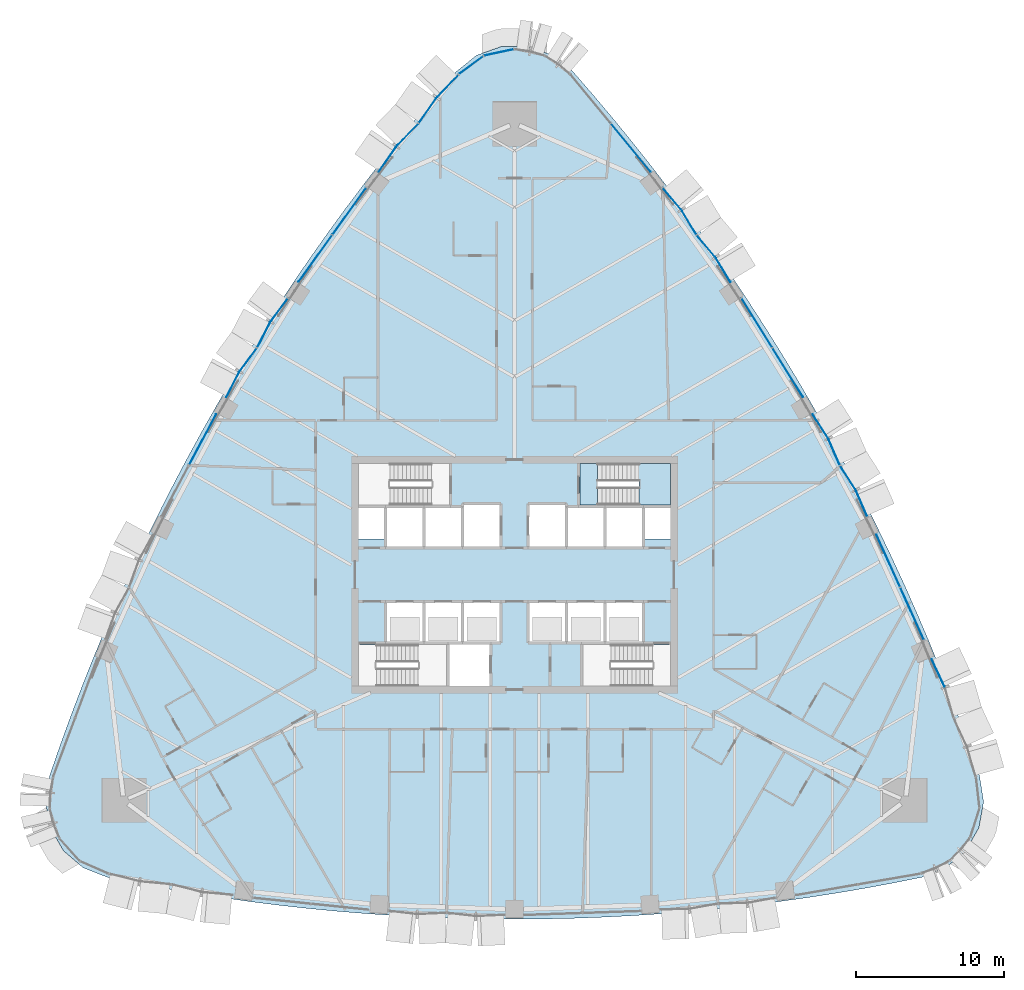
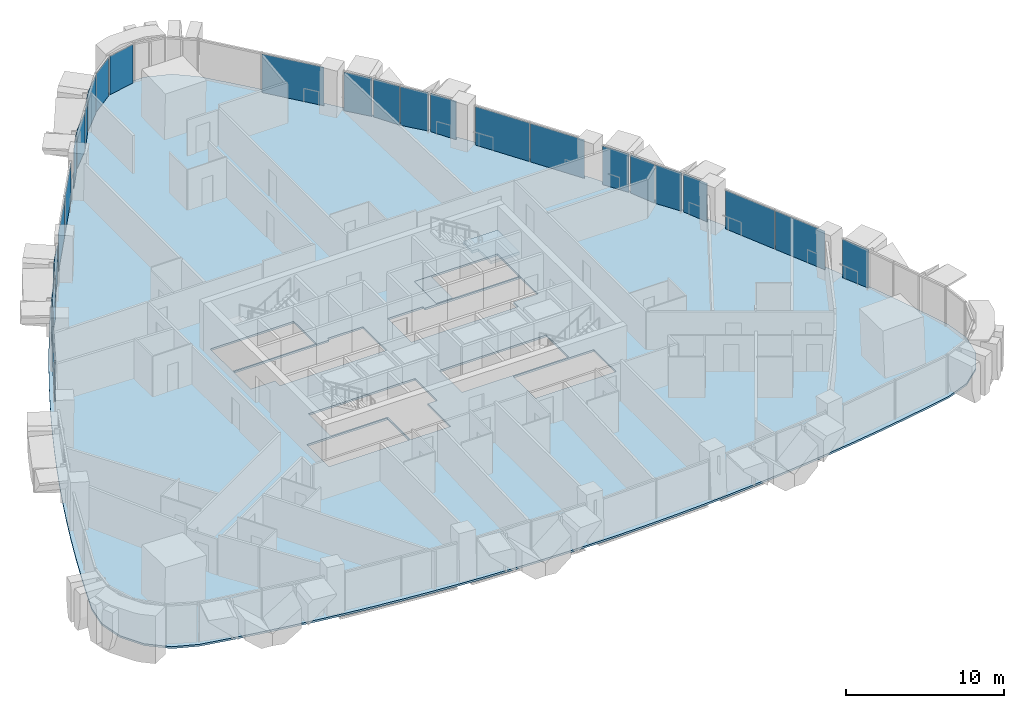
# One storey, part 10 of 19: 27 plates, 3 slabs, 13 elements without a shape of their own.
"""IFC4 building model written with IfcOpenShell, lengths in metres."""

from ifc_helpers import new_model, si_unit, direction, frame, origin, origin_2d, place, context, subcontext, project, spatial, polyline, rectangle, outline, extrude, material, layer, layer_set, type_object, element, aggregate, save


model = new_model("IFC4")

# Units and contexts
model_context = context("Model", 3, precision=1e-05, world=origin(), true_north=direction((0.0, 1.0)))
body_context = subcontext(model_context, "Body", "Model", "MODEL_VIEW")
ifc_project = project(units=[si_unit("LENGTHUNIT", "METRE"), si_unit("AREAUNIT", "SQUARE_METRE"), si_unit("VOLUMEUNIT", "CUBIC_METRE"), si_unit("PLANEANGLEUNIT", "RADIAN"), si_unit("MASSUNIT", "GRAM", prefix="KILO")], contexts=[model_context])

# Site, building, storey
site_placement = place(None, origin())
site = spatial("IfcSite", under=ifc_project, at=site_placement, CompositionType="ELEMENT")
building_placement = place(site_placement, origin())
building = spatial("IfcBuilding", under=site, at=building_placement, Name="Sierra Prisma Convention Tower", CompositionType="ELEMENT")
storey_placement = place(building_placement, frame((0.0, 0.0, 77.60009765625)))
storey = spatial("IfcBuildingStorey", under=building, at=storey_placement, Name="L15", CompositionType="ELEMENT", Elevation=77.60009765625)

# Curtain wall, plates
ifc_material_1 = material(Name="Aluminium and glass curtain wall", Category="aluminium")
ifc_layer_1 = layer(ifc_material_1, 0.179931640625)
ifc_layer_set_1 = layer_set([ifc_layer_1], Name="CW-1 Plain shaft curtain wall")
curtain_wall_type_1 = type_object("IfcCurtainWallType", Name="CW-1 Plain shaft curtain wall", PredefinedType="NOTDEFINED", material=ifc_layer_set_1)
curtain_wall_1_placement = place(storey_placement, origin())
curtain_wall_1 = element("IfcCurtainWall", 1, at=curtain_wall_1_placement, inside=storey, type_object=curtain_wall_type_1, Name="CW-1 NE2 L15", PredefinedType="NOTDEFINED")
ifc_material_2 = material(Name="Tinted glass bronze-grey IGU", Category="glass")
ifc_layer_2 = layer(ifc_material_2, 0.028076171875)
ifc_layer_set_2 = layer_set([ifc_layer_2], Name="CW-1 glass panel")
plate_type_1 = type_object("IfcPlateType", Name="CW-1 glass panel", PredefinedType="CURTAIN_PANEL", material=ifc_layer_set_2)
plate_1_placement = place(storey_placement, frame((26.7841796875, -2.61865234375, 0.0), z_axis=(0.0, 0.0, 1.0), x_axis=(-0.411425727774, 0.911443289802, 0.0)))
plate_1 = element("IfcPlate", 2, at=plate_1_placement, type_object=plate_type_1, Name="CW-1 panel NE2.1", PredefinedType="CURTAIN_PANEL", context=body_context, shape_type="SweptSolid", body=[
    extrude(rectangle(XDim=3.843505859375, YDim=0.028076171875, at=origin_2d()), origin(), (0.0, 0.0, 1.0), 2.97998046875),
])
plate_2_placement = place(storey_placement, frame((25.174072265625, 0.948486328125, 0.0), z_axis=(0.0, 0.0, 1.0), x_axis=(-0.411425727774, 0.911443289802, 0.0)))
plate_2 = element("IfcPlate", 3, at=plate_2_placement, type_object=plate_type_1, Name="CW-1 panel NE2.2", PredefinedType="CURTAIN_PANEL", context=body_context, shape_type="SweptSolid", body=[
    extrude(rectangle(XDim=3.843505859375, YDim=0.028076171875, at=origin_2d()), origin(), (0.0, 0.0, 1.0), 2.97998046875),
])
aggregate(curtain_wall_1, [plate_1, plate_2])

curtain_wall_2_placement = place(storey_placement, origin())
curtain_wall_2 = element("IfcCurtainWall", 4, at=curtain_wall_2_placement, inside=storey, type_object=curtain_wall_type_1, Name="CW-1 NE4 L15", PredefinedType="NOTDEFINED")
plate_3_placement = place(storey_placement, frame((18.408935546875, 13.61962890625, 0.0), z_axis=(0.0, 0.0, 1.0), x_axis=(-0.528313211878, 0.849049556949, 0.0)))
plate_3 = element("IfcPlate", 5, at=plate_3_placement, type_object=plate_type_1, Name="CW-1 panel NE4.1", PredefinedType="CURTAIN_PANEL", context=body_context, shape_type="SweptSolid", body=[
    extrude(rectangle(XDim=3.88134765625, YDim=0.028076171875, at=origin_2d()), origin(), (0.0, 0.0, 1.0), 2.97998046875),
])
plate_4_placement = place(storey_placement, frame((16.3212890625, 16.974609375, 0.0), z_axis=(0.0, 0.0, 1.0), x_axis=(-0.528313211878, 0.849049556949, 0.0)))
plate_4 = element("IfcPlate", 6, at=plate_4_placement, type_object=plate_type_1, Name="CW-1 panel NE4.2", PredefinedType="CURTAIN_PANEL", context=body_context, shape_type="SweptSolid", body=[
    extrude(rectangle(XDim=3.88134765625, YDim=0.028076171875, at=origin_2d()), origin(), (0.0, 0.0, 1.0), 2.97998046875),
])
aggregate(curtain_wall_2, [plate_3, plate_4])

# Curtain wall, plate
curtain_wall_3_placement = place(storey_placement, origin())
curtain_wall_3 = element("IfcCurtainWall", 7, at=curtain_wall_3_placement, inside=storey, type_object=curtain_wall_type_1, Name="CW-1 NE6 L15", PredefinedType="NOTDEFINED")
plate_5_placement = place(storey_placement, frame((7.83447265625, 28.772705078125, 0.0), z_axis=(0.0, 0.0, 1.0), x_axis=(-0.635925807902, 0.771750197178, 0.0)))
plate_5 = element("IfcPlate", 8, at=plate_5_placement, type_object=plate_type_1, Name="CW-1 panel NE6.1", PredefinedType="CURTAIN_PANEL", context=body_context, shape_type="SweptSolid", body=[
    extrude(rectangle(XDim=4.181640625, YDim=0.028076171875, at=origin_2d()), origin(), (0.0, 0.0, 1.0), 2.97998046875),
])
aggregate(curtain_wall_3, [plate_5])

curtain_wall_4_placement = place(storey_placement, origin())
curtain_wall_4 = element("IfcCurtainWall", 9, at=curtain_wall_4_placement, inside=storey, type_object=curtain_wall_type_1, Name="CW-1 N3 L15", PredefinedType="NOTDEFINED")
plate_6_placement = place(storey_placement, frame((-1.030517578125, 35.1962890625, 0.0), z_axis=(0.0, 0.0, 1.0), x_axis=(-0.977588884653, -0.210523092803, 0.0)))
plate_6 = element("IfcPlate", 10, at=plate_6_placement, type_object=plate_type_1, Name="CW-1 panel N3.1", PredefinedType="CURTAIN_PANEL", context=body_context, shape_type="SweptSolid", body=[
    extrude(rectangle(XDim=1.96826171875, YDim=0.028076171875, at=origin_2d()), origin(), (0.0, 0.0, 1.0), 2.97998046875),
])
aggregate(curtain_wall_4, [plate_6])

curtain_wall_5_placement = place(storey_placement, origin())
curtain_wall_5 = element("IfcCurtainWall", 11, at=curtain_wall_5_placement, inside=storey, type_object=curtain_wall_type_1, Name="CW-1 N4 L15", PredefinedType="NOTDEFINED")
plate_7_placement = place(storey_placement, frame((-2.90869140625, 34.347900390625, 0.0), z_axis=(0.0, 0.0, 1.0), x_axis=(-0.804282034313, -0.594247767586, 0.0)))
plate_7 = element("IfcPlate", 12, at=plate_7_placement, type_object=plate_type_1, Name="CW-1 panel N4.1", PredefinedType="CURTAIN_PANEL", context=body_context, shape_type="SweptSolid", body=[
    extrude(rectangle(XDim=1.96826171875, YDim=0.028076171875, at=origin_2d()), origin(), (0.0, 0.0, 1.0), 2.97998046875),
])
aggregate(curtain_wall_5, [plate_7])

# Curtain wall, plates
curtain_wall_6_placement = place(storey_placement, origin())
curtain_wall_6 = element("IfcCurtainWall", 13, at=curtain_wall_6_placement, inside=storey, type_object=curtain_wall_type_1, Name="CW-1 NW2 L15", PredefinedType="NOTDEFINED")
plate_8_placement = place(storey_placement, frame((-11.13037109375, 24.49755859375, 0.0), z_axis=(0.0, 0.0, 1.0), x_axis=(-0.583401166916, -0.812184140723, 0.0)))
plate_8 = element("IfcPlate", 14, at=plate_8_placement, type_object=plate_type_1, Name="CW-1 panel NW2.1", PredefinedType="CURTAIN_PANEL", context=body_context, shape_type="SweptSolid", body=[
    extrude(rectangle(XDim=3.862060546875, YDim=0.028076171875, at=origin_2d()), origin(), (0.0, 0.0, 1.0), 2.97998046875),
])
plate_9_placement = place(storey_placement, frame((-13.42431640625, 21.30419921875, 0.0), z_axis=(0.0, 0.0, 1.0), x_axis=(-0.583401166916, -0.812184140723, 0.0)))
plate_9 = element("IfcPlate", 15, at=plate_9_placement, type_object=plate_type_1, Name="CW-1 panel NW2.2", PredefinedType="CURTAIN_PANEL", context=body_context, shape_type="SweptSolid", body=[
    extrude(rectangle(XDim=3.862060546875, YDim=0.028076171875, at=origin_2d()), origin(), (0.0, 0.0, 1.0), 2.97998046875),
])
aggregate(curtain_wall_6, [plate_8, plate_9])

# Curtain wall, plate
curtain_wall_7_placement = place(storey_placement, origin())
curtain_wall_7 = element("IfcCurtainWall", 16, at=curtain_wall_7_placement, inside=storey, type_object=curtain_wall_type_1, Name="CW-1 NW4 L15", PredefinedType="NOTDEFINED")
plate_10_placement = place(storey_placement, frame((-21.01318359375, 9.108154296875, 0.0), z_axis=(0.0, 0.0, 1.0), x_axis=(-0.470903985064, -0.88218446872, 0.0)))
plate_10 = element("IfcPlate", 17, at=plate_10_placement, type_object=plate_type_1, Name="CW-1 panel NW4.1", PredefinedType="CURTAIN_PANEL", context=body_context, shape_type="SweptSolid", body=[
    extrude(rectangle(XDim=3.86279296875, YDim=0.028076171875, at=origin_2d()), origin(), (0.0, 0.0, 1.0), 2.97998046875),
])
aggregate(curtain_wall_7, [plate_10])

ifc_material_3 = material(Name="Aluminium and glass curtain wall", Category="aluminium")
ifc_layer_3 = layer(ifc_material_3, 0.179931640625)
ifc_layer_set_3 = layer_set([ifc_layer_3], Name="CW-2 Faceted crystal curtain wall")
curtain_wall_type_2 = type_object("IfcCurtainWallType", Name="CW-2 Faceted crystal curtain wall", PredefinedType="NOTDEFINED", material=ifc_layer_set_3)
curtain_wall_8_placement = place(storey_placement, origin())
curtain_wall_8 = element("IfcCurtainWall", 18, at=curtain_wall_8_placement, inside=storey, type_object=curtain_wall_type_2, Name="CW-2 NE1 L15", PredefinedType="NOTDEFINED")
ifc_material_4 = material(Name="Tinted glass bronze-grey IGU", Category="glass")
ifc_layer_4 = layer(ifc_material_4, 0.028076171875)
ifc_layer_set_4 = layer_set([ifc_layer_4], Name="CW-2 crystal pane")
plate_type_2 = type_object("IfcPlateType", Name="CW-2 crystal pane", PredefinedType="CURTAIN_PANEL", material=ifc_layer_set_4)
plate_11_placement = place(storey_placement, frame((28.116455078125, -5.677734375, 0.0), z_axis=(0.906321188244, 0.422589521569, 0.0), x_axis=(0.422589521569, -0.906321188244, 0.0)))
plate_11 = element("IfcPlate", 19, at=plate_11_placement, type_object=plate_type_2, Name="CW-2 pane NE1.2.2", PredefinedType="CURTAIN_PANEL", context=body_context, shape_type="SweptSolid", body=[
    extrude(outline(polyline([(0.0, 0.0), (2.032437329634034, 0.0), (2.032437329634034, -2.97998046875), (0.0, -2.97998046875), (0.0, 0.0)])), origin(), (0.0, 0.0, -1.0), 0.028076171875),
])
aggregate(curtain_wall_8, [plate_11])

# Curtain wall, plates
curtain_wall_9_placement = place(storey_placement, origin())
curtain_wall_9 = element("IfcCurtainWall", 20, at=curtain_wall_9_placement, inside=storey, type_object=curtain_wall_type_2, Name="CW-2 NE3 L15", PredefinedType="NOTDEFINED")
plate_12_placement = place(storey_placement, frame((23.774658203125, 3.934814453125, 0.0), z_axis=(0.916432449513, 0.400189412003, 0.0), x_axis=(-0.400189412003, 0.916432449513, 0.0)))
plate_12 = element("IfcPlate", 21, at=plate_12_placement, type_object=plate_type_2, Name="CW-2 pane NE3.1.1", PredefinedType="CURTAIN_PANEL", context=body_context, shape_type="SweptSolid", body=[
    extrude(outline(polyline([(0.0, 0.0), (1.8722823634315688, 0.0), (1.8722823634315688, 2.97998046875), (0.0, 2.97998046875), (0.0, 0.0)])), origin(), (0.0, 0.0, -1.0), 0.028076171875),
])
plate_13_placement = place(storey_placement, frame((21.95556640625, 7.342529296875, 0.0), z_axis=(0.842489167698, 0.538713283957, 0.0), x_axis=(0.538713283957, -0.842489167698, 0.0)))
plate_13 = element("IfcPlate", 22, at=plate_13_placement, type_object=plate_type_2, Name="CW-2 pane NE3.1.2", PredefinedType="CURTAIN_PANEL", context=body_context, shape_type="SweptSolid", body=[
    extrude(outline(polyline([(0.0, 0.0), (1.8725899147885785, 0.0), (1.8725899147885785, -2.97998046875), (0.0, -2.97998046875), (0.0, 0.0)])), origin(), (0.0, 0.0, -1.0), 0.028076171875),
])
plate_14_placement = place(storey_placement, frame((21.922607421875, 7.404296875, 0.0), z_axis=(0.916432449513, 0.400189412003, 0.0), x_axis=(-0.400189412003, 0.916432449513, 0.0)))
plate_14 = element("IfcPlate", 23, at=plate_14_placement, type_object=plate_type_2, Name="CW-2 pane NE3.2.1", PredefinedType="CURTAIN_PANEL", context=body_context, shape_type="SweptSolid", body=[
    extrude(outline(polyline([(0.0, 0.0), (1.8722823634315688, 0.0), (1.8722823634315688, 2.97998046875), (0.0, 2.97998046875), (0.0, 0.0)])), origin(), (0.0, 0.0, -1.0), 0.028076171875),
])
plate_15_placement = place(storey_placement, frame((20.103515625, 10.81201171875, 0.0), z_axis=(0.842451324808, 0.538772461555, 0.0), x_axis=(0.538772461555, -0.842451324808, 0.0)))
plate_15 = element("IfcPlate", 24, at=plate_15_placement, type_object=plate_type_2, Name="CW-2 pane NE3.2.2", PredefinedType="CURTAIN_PANEL", context=body_context, shape_type="SweptSolid", body=[
    extrude(outline(polyline([(0.0, 0.0), (1.8723842335758607, 0.0), (1.8723842335758607, -2.97998046875), (0.0, -2.97998046875), (0.0, 0.0)])), origin(), (0.0, 0.0, -1.0), 0.028076171875),
])
aggregate(curtain_wall_9, [plate_12, plate_13, plate_14, plate_15])

curtain_wall_10_placement = place(storey_placement, origin())
curtain_wall_10 = element("IfcCurtainWall", 25, at=curtain_wall_10_placement, inside=storey, type_object=curtain_wall_type_2, Name="CW-2 NE5 L15", PredefinedType="NOTDEFINED")
plate_16_placement = place(storey_placement, frame((14.55078125, 19.73583984375, 0.0), z_axis=(0.855507679119, 0.517790122509, 0.0), x_axis=(-0.517790122509, 0.855507679119, 0.0)))
plate_16 = element("IfcPlate", 26, at=plate_16_placement, type_object=plate_type_2, Name="CW-2 pane NE5.1.1", PredefinedType="CURTAIN_PANEL", context=body_context, shape_type="SweptSolid", body=[
    extrude(outline(polyline([(0.0, 0.0), (1.8723463035119767, 0.0), (1.8723463035119767, 2.97998046875), (0.0, 2.97998046875), (0.0, 0.0)])), origin(), (0.0, 0.0, -1.0), 0.028076171875),
])
plate_17_placement = place(storey_placement, frame((12.29736328125, 22.873046875, 0.0), z_axis=(0.763885625546, 0.645351649168, 0.0), x_axis=(0.645351649168, -0.763885625546, 0.0)))
plate_17 = element("IfcPlate", 27, at=plate_17_placement, type_object=plate_type_2, Name="CW-2 pane NE5.1.2", PredefinedType="CURTAIN_PANEL", context=body_context, shape_type="SweptSolid", body=[
    extrude(outline(polyline([(0.0, 0.0), (1.8722381118608886, 0.0), (1.8722381118608886, -2.97998046875), (0.0, -2.97998046875), (0.0, 0.0)])), origin(), (0.0, 0.0, -1.0), 0.028076171875),
])
plate_18_placement = place(storey_placement, frame((12.256591796875, 22.929931640625, 0.0), z_axis=(0.855449917117, 0.517885546531, 0.0), x_axis=(-0.517885546531, 0.855449917117, 0.0)))
plate_18 = element("IfcPlate", 28, at=plate_18_placement, type_object=plate_type_2, Name="CW-2 pane NE5.2.1", PredefinedType="CURTAIN_PANEL", context=body_context, shape_type="SweptSolid", body=[
    extrude(outline(polyline([(0.0, 0.0), (1.8724727287649383, 0.0), (1.8724727287649383, 2.97998046875), (0.0, 2.97998046875), (0.0, 0.0)])), origin(), (0.0, 0.0, -1.0), 0.028076171875),
])
plate_19_placement = place(storey_placement, frame((10.0029296875, 26.067138671875, 0.0), z_axis=(0.763885625546, 0.645351649168, 0.0), x_axis=(0.645351649168, -0.763885625546, 0.0)))
plate_19 = element("IfcPlate", 29, at=plate_19_placement, type_object=plate_type_2, Name="CW-2 pane NE5.2.2", PredefinedType="CURTAIN_PANEL", context=body_context, shape_type="SweptSolid", body=[
    extrude(outline(polyline([(0.0, 0.0), (1.8722381118608886, 0.0), (1.8722381118608886, -2.97998046875), (0.0, -2.97998046875), (0.0, 0.0)])), origin(), (0.0, 0.0, -1.0), 0.028076171875),
])
aggregate(curtain_wall_10, [plate_16, plate_17, plate_18, plate_19])

curtain_wall_11_placement = place(storey_placement, origin())
curtain_wall_11 = element("IfcCurtainWall", 30, at=curtain_wall_11_placement, inside=storey, type_object=curtain_wall_type_2, Name="CW-2 NW1 L15", PredefinedType="NOTDEFINED")
plate_20_placement = place(storey_placement, frame((-3.801025390625, 33.66748046875, 0.0), z_axis=(-0.719430437911, 0.69456450025, 0.0), x_axis=(-0.69456450025, -0.719430437911, 0.0)))
plate_20 = element("IfcPlate", 31, at=plate_20_placement, type_object=plate_type_2, Name="CW-2 pane NW1.1.1", PredefinedType="CURTAIN_PANEL", context=body_context, shape_type="SweptSolid", body=[
    extrude(outline(polyline([(0.0, 0.0), (2.0323830158918557, 0.0), (2.0323830158918557, 2.97998046875), (0.0, 2.97998046875), (0.0, 0.0)])), origin(), (0.0, 0.0, -1.0), 0.028076171875),
])
plate_21_placement = place(storey_placement, frame((-6.460205078125, 30.440185546875, 0.0), z_axis=(-0.819288353585, 0.573381717253, 0.0), x_axis=(0.573381717253, 0.819288353585, 0.0)))
plate_21 = element("IfcPlate", 32, at=plate_21_placement, type_object=plate_type_2, Name="CW-2 pane NW1.1.2", PredefinedType="CURTAIN_PANEL", context=body_context, shape_type="SweptSolid", body=[
    extrude(outline(polyline([(0.0, 0.0), (2.0322991962642067, 0.0), (2.0322991962642067, -2.97998046875), (0.0, -2.97998046875), (0.0, 0.0)])), origin(), (0.0, 0.0, -1.0), 0.028076171875),
])
plate_22_placement = place(storey_placement, frame((-6.5048828125, 30.38623046875, 0.0), z_axis=(-0.719490465746, 0.694502317996, 0.0), x_axis=(-0.694502317996, -0.719490465746, 0.0)))
plate_22 = element("IfcPlate", 33, at=plate_22_placement, type_object=plate_type_2, Name="CW-2 pane NW1.2.1", PredefinedType="CURTAIN_PANEL", context=body_context, shape_type="SweptSolid", body=[
    extrude(outline(polyline([(0.0, 0.0), (2.0322134520709523, 0.0), (2.0322134520709523, 2.97998046875), (0.0, 2.97998046875), (0.0, 0.0)])), origin(), (0.0, 0.0, -1.0), 0.028076171875),
])
plate_23_placement = place(storey_placement, frame((-9.1640625, 27.1591796875, 0.0), z_axis=(-0.819248852938, 0.573438154433, 0.0), x_axis=(0.573438154433, 0.819248852938, 0.0)))
plate_23 = element("IfcPlate", 34, at=plate_23_placement, type_object=plate_type_2, Name="CW-2 pane NW1.2.2", PredefinedType="CURTAIN_PANEL", context=body_context, shape_type="SweptSolid", body=[
    extrude(outline(polyline([(0.0, 0.0), (2.032099179515126, 0.0), (2.032099179515126, -2.97998046875), (0.0, -2.97998046875), (0.0, 0.0)])), origin(), (0.0, 0.0, -1.0), 0.028076171875),
])
aggregate(curtain_wall_11, [plate_20, plate_21, plate_22, plate_23])

curtain_wall_12_placement = place(storey_placement, origin())
curtain_wall_12 = element("IfcCurtainWall", 35, at=curtain_wall_12_placement, inside=storey, type_object=curtain_wall_type_2, Name="CW-2 NW3 L15", PredefinedType="NOTDEFINED")
plate_24_placement = place(storey_placement, frame((-15.296142578125, 18.622314453125, 0.0), z_axis=(-0.805016698632, 0.593252151217, 0.0), x_axis=(-0.593252151217, -0.805016698632, 0.0)))
plate_24 = element("IfcPlate", 36, at=plate_24_placement, type_object=plate_type_2, Name="CW-2 pane NW3.1.1", PredefinedType="CURTAIN_PANEL", context=body_context, shape_type="SweptSolid", body=[
    extrude(outline(polyline([(0.0, 0.0), (1.8815118246282219, 0.0), (1.8815118246282219, 2.9799804687500004), (0.0, 2.9799804687500004), (0.0, 0.0)])), origin(), (0.0, 0.0, -1.0), 0.028076171875),
])
plate_25_placement = place(storey_placement, frame((-17.3466796875, 15.326904296875, 0.0), z_axis=(-0.887872328475, 0.460089913309, 0.0), x_axis=(0.460089913309, 0.887872328475, 0.0)))
plate_25 = element("IfcPlate", 37, at=plate_25_placement, type_object=plate_type_2, Name="CW-2 pane NW3.1.2", PredefinedType="CURTAIN_PANEL", context=body_context, shape_type="SweptSolid", body=[
    extrude(outline(polyline([(0.0, 0.0), (1.8816379825065865, 0.0), (1.8816379825065865, -2.97998046875), (0.0, -2.97998046875), (0.0, 0.0)])), origin(), (0.0, 0.0, -1.0), 0.028076171875),
])
plate_26_placement = place(storey_placement, frame((-17.383544921875, 15.267333984375, 0.0), z_axis=(-0.804954729609, 0.593336231222, 0.0), x_axis=(-0.593336231222, -0.804954729609, 0.0)))
plate_26 = element("IfcPlate", 38, at=plate_26_placement, type_object=plate_type_2, Name="CW-2 pane NW3.2.1", PredefinedType="CURTAIN_PANEL", context=body_context, shape_type="SweptSolid", body=[
    extrude(outline(polyline([(0.0, 0.0), (1.88165667184327, 0.0), (1.88165667184327, 2.97998046875), (0.0, 2.97998046875), (0.0, 0.0)])), origin(), (0.0, 0.0, -1.0), 0.028076171875),
])
plate_27_placement = place(storey_placement, frame((-19.43408203125, 11.971923828125, 0.0), z_axis=(-0.887872328475, 0.460089913309, 0.0), x_axis=(0.460089913309, 0.887872328475, 0.0)))
plate_27 = element("IfcPlate", 39, at=plate_27_placement, type_object=plate_type_2, Name="CW-2 pane NW3.2.2", PredefinedType="CURTAIN_PANEL", context=body_context, shape_type="SweptSolid", body=[
    extrude(outline(polyline([(0.0, 0.0), (1.8816379825065865, 0.0), (1.8816379825065865, -2.97998046875), (0.0, -2.97998046875), (0.0, 0.0)])), origin(), (0.0, 0.0, -1.0), 0.028076171875),
])
aggregate(curtain_wall_12, [plate_24, plate_25, plate_26, plate_27])

# Slab
ifc_material_5 = material(Name="Concrete C35/45", Category="concrete")
ifc_layer_5 = layer(ifc_material_5, 0.14990234375)
ifc_layer_set_5 = layer_set([ifc_layer_5], Name="Composite floor slab 150")
slab_type_1 = type_object("IfcSlabType", Name="Composite floor slab 150", PredefinedType="FLOOR", material=ifc_layer_set_5)
slab_1_placement = place(storey_placement, frame((0.0, 0.0, -0.150146484375)))
element("IfcSlab", 40, at=slab_1_placement, inside=storey, type_object=slab_type_1, Name="Floor slab L15 floor", PredefinedType="FLOOR", context=body_context, shape_type="SweptSolid", body=[
    extrude(outline(polyline([(-27.416259765625, -20.386962890625), (-25.482421875, -20.773681640625), (-23.543212890625, -21.1318359375), (-21.598876953125, -21.461669921875), (-19.650146484375, -21.762939453125), (-17.697021484375, -22.035888671875), (-15.740234375, -22.2802734375), (-13.780029296875, -22.495849609375), (-11.81689453125, -22.682861328125), (-9.851318359375, -22.84130859375), (-7.883544921875, -22.970947265625), (-5.9140625, -23.071533203125), (-3.943603515625, -23.1435546875), (-1.971923828125, -23.18701171875), (0.0, -23.201416015625), (1.971923828125, -23.18701171875), (3.943603515625, -23.1435546875), (5.9140625, -23.071533203125), (7.883544921875, -22.970947265625), (9.851318359375, -22.84130859375), (11.81689453125, -22.682861328125), (13.780029296875, -22.495849609375), (15.740234375, -22.2802734375), (17.697021484375, -22.035888671875), (19.650146484375, -21.762939453125), (21.598876953125, -21.461669921875), (23.543212890625, -21.1318359375), (25.482421875, -20.773681640625), (27.416259765625, -20.386962890625), (29.063232421875, -19.7412109375), (30.403076171875, -18.58544921875), (31.283447265625, -17.05078125), (31.604736328125, -15.31103515625), (31.330810546875, -13.56298828125), (30.689453125, -11.700927734375), (30.021728515625, -9.847900390625), (29.32763671875, -8.004638671875), (28.607666015625, -6.17138671875), (27.861572265625, -4.3486328125), (27.089599609375, -2.53662109375), (26.2919921875, -0.735595703125), (25.468994140625, 1.0537109375), (24.62060546875, 2.831298828125), (23.7470703125, 4.596435546875), (22.848388671875, 6.34912109375), (21.925048828125, 8.0888671875), (20.97705078125, 9.815185546875), (20.004638671875, 11.528076171875), (19.008056640625, 13.226806640625), (17.9873046875, 14.911376953125), (16.94287109375, 16.581298828125), (15.874755859375, 18.236083984375), (14.783203125, 19.87548828125), (13.66845703125, 21.499267578125), (12.53076171875, 23.10693359375), (11.370361328125, 24.698486328125), (10.1875, 26.273193359375), (8.982421875, 27.8310546875), (7.755126953125, 29.371826171875), (6.50634765625, 30.894775390625), (5.23583984375, 32.39990234375), (3.944091796875, 33.88671875), (2.56201171875, 35.00146484375), (0.8876953125, 35.592529296875), (-0.8876953125, 35.592529296875), (-2.56201171875, 35.00146484375), (-3.944091796875, 33.88671875), (-5.23583984375, 32.39990234375), (-6.50634765625, 30.894775390625), (-7.755126953125, 29.371826171875), (-8.982421875, 27.8310546875), (-10.1875, 26.273193359375), (-11.370361328125, 24.698486328125), (-12.53076171875, 23.10693359375), (-13.66845703125, 21.499267578125), (-14.783203125, 19.87548828125), (-15.874755859375, 18.236083984375), (-16.94287109375, 16.581298828125), (-17.9873046875, 14.911376953125), (-19.008056640625, 13.226806640625), (-20.004638671875, 11.528076171875), (-20.97705078125, 9.815185546875), (-21.925048828125, 8.0888671875), (-22.848388671875, 6.34912109375), (-23.7470703125, 4.596435546875), (-24.62060546875, 2.831298828125), (-25.468994140625, 1.0537109375), (-26.2919921875, -0.735595703125), (-27.089599609375, -2.53662109375), (-27.861572265625, -4.3486328125), (-28.607666015625, -6.17138671875), (-29.32763671875, -8.004638671875), (-30.021728515625, -9.847900390625), (-30.689453125, -11.700927734375), (-31.330810546875, -13.56298828125), (-31.604736328125, -15.31103515625), (-31.283447265625, -17.05078125), (-30.403076171875, -18.58544921875), (-29.063232421875, -19.7412109375), (-27.416259765625, -20.386962890625)]), holes=[polyline([(-4.60009765625, -7.5), (-10.5, -7.5), (-10.5, -4.699951171875), (-4.60009765625, -4.699951171875), (-4.60009765625, -7.5)]), polyline([(-8.699951171875, -4.60009765625), (-8.699951171875, -1.800048828125), (-6.10009765625, -1.800048828125), (-3.5, -1.800048828125), (-0.89990234375, -1.800048828125), (-0.89990234375, -4.60009765625), (-1.60009765625, -4.60009765625), (-1.60009765625, -7.5), (-4.5, -7.5), (-4.5, -4.60009765625), (-6.10009765625, -4.60009765625), (-8.699951171875, -4.60009765625)]), polyline([(-10.5, 4.60009765625), (-8.699951171875, 4.60009765625), (-6.10009765625, 4.60009765625), (-3.5, 4.60009765625), (-3.5, 4.800048828125), (-0.89990234375, 4.800048828125), (-0.89990234375, 1.800048828125), (-3.5, 1.800048828125), (-6.10009765625, 1.800048828125), (-8.699951171875, 1.800048828125), (-8.699951171875, 2.39990234375), (-10.5, 2.39990234375), (-10.5, 4.60009765625)]), polyline([(-4.39990234375, 4.699951171875), (-10.5, 4.699951171875), (-10.5, 7.5), (-4.39990234375, 7.5), (-4.39990234375, 4.699951171875)]), polyline([(10.5, -7.5), (4.60009765625, -7.5), (4.60009765625, -4.699951171875), (10.5, -4.699951171875), (10.5, -7.5)]), polyline([(6.10009765625, -1.800048828125), (8.699951171875, -1.800048828125), (8.699951171875, -4.60009765625), (6.10009765625, -4.60009765625), (3.5, -4.60009765625), (0.89990234375, -4.60009765625), (0.89990234375, -1.800048828125), (3.5, -1.800048828125), (6.10009765625, -1.800048828125)]), polyline([(10.5, 4.60009765625), (10.5, 2.39990234375), (8.699951171875, 2.39990234375), (8.699951171875, 1.800048828125), (6.10009765625, 1.800048828125), (3.5, 1.800048828125), (0.89990234375, 1.800048828125), (0.89990234375, 4.800048828125), (3.5, 4.800048828125), (3.5, 4.60009765625), (6.10009765625, 4.60009765625), (8.699951171875, 4.60009765625), (10.5, 4.60009765625)]), polyline([(4.39990234375, 4.699951171875), (4.39990234375, 7.5), (10.5, 7.5), (10.5, 4.699951171875), (4.39990234375, 4.699951171875)])]), origin(), (0.0, 0.0, 1.0), 0.150146484375),
])

# Stair, slab
ifc_material_6 = material(Name="Concrete C30/37", Category="concrete")
stair_type = type_object("IfcStairType", Name="Stair dog-leg 1200 RC", PredefinedType="HALF_TURN_STAIR", material=ifc_material_6)
stair_placement = place(storey_placement, origin())
stair = element("IfcStair", 41, at=stair_placement, inside=storey, type_object=stair_type, Name="L15 S4", PredefinedType="HALF_TURN_STAIR")
ifc_material_7 = material(Name="Concrete C35/45", Category="concrete")
ifc_layer_6 = layer(ifc_material_7, 0.199951171875)
ifc_layer_set_6 = layer_set([ifc_layer_6], Name="Stair landing slab")
slab_type_2 = type_object("IfcSlabType", Name="Stair landing slab", PredefinedType="LANDING", material=ifc_layer_set_6)
slab_2_placement = place(storey_placement, frame((0.0, 0.0, 1.64990234375)))
slab_2 = element("IfcSlab", 42, at=slab_2_placement, type_object=slab_type_2, Name="S4 landing 1", PredefinedType="LANDING", context=body_context, shape_type="SweptSolid", body=[
    extrude(outline(polyline([(10.5, 7.5), (10.5, 4.699951171875), (8.39794921875, 4.699951171875), (8.39794921875, 6.300048828125), (7.949951171875, 6.300048828125), (7.949951171875, 7.5), (10.5, 7.5)])), origin(), (0.0, 0.0, 1.0), 0.199951171875),
])
aggregate(stair, [slab_2])

# Slab
slab_3_placement = place(storey_placement, frame((0.0, 0.0, -0.2001953125)))
element("IfcSlab", 43, at=slab_3_placement, inside=storey, type_object=slab_type_2, Name="S4 floor landing L15", PredefinedType="LANDING", context=body_context, shape_type="SweptSolid", body=[
    extrude(outline(polyline([(4.39990234375, 4.699951171875), (5.60205078125, 4.699951171875), (5.60205078125, 7.5), (4.39990234375, 7.5), (4.39990234375, 4.699951171875)])), origin(), (0.0, 0.0, 1.0), 0.2001953125),
])

save(model, "model.ifc")
